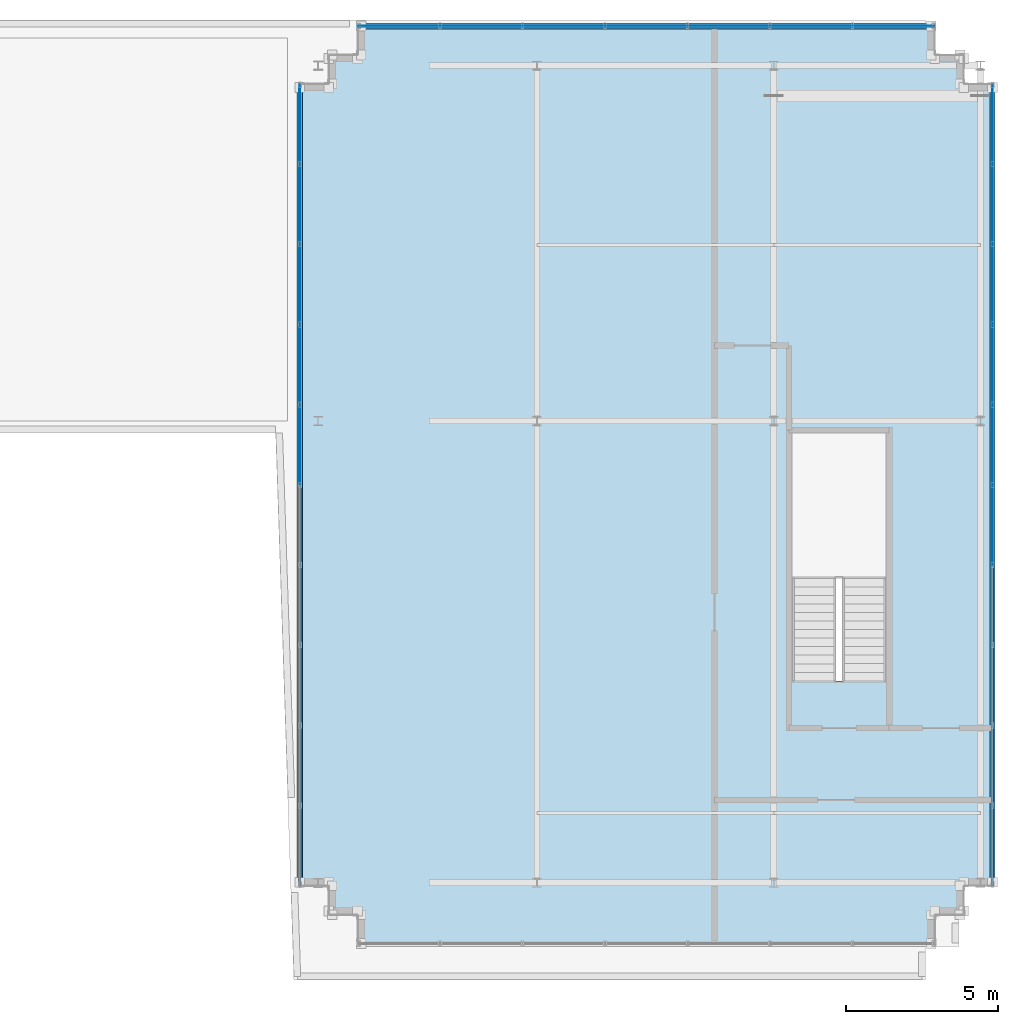
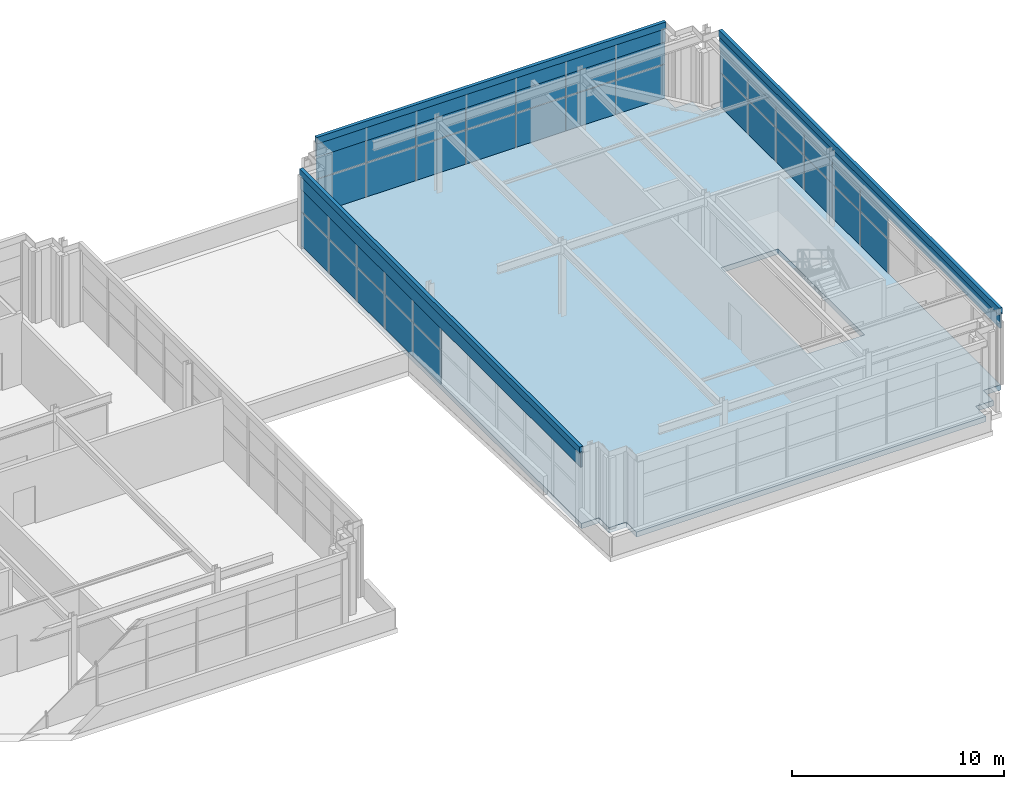
# One storey, part 25 of 31: 42 plates, 1 slab, 3 elements without a shape of their own.
"""IFC4 building model written with IfcOpenShell, lengths in metres."""

from ifc_helpers import new_model, si_unit, direction, frame, origin, origin_2d, place, context, subcontext, project, spatial, polyline, rectangle, outline, extrude, source, transform, mapped, material, layer, layer_set, type_object, element, aggregate, save


model = new_model("IFC4")

# Units and contexts
model_context = context("Model", 3, precision=1e-05, world=origin(), true_north=direction((0.0, 1.0)))
body_context = subcontext(model_context, "Body", "Model", "MODEL_VIEW")
ifc_project = project(units=[si_unit("LENGTHUNIT", "METRE"), si_unit("AREAUNIT", "SQUARE_METRE"), si_unit("VOLUMEUNIT", "CUBIC_METRE"), si_unit("PLANEANGLEUNIT", "RADIAN"), si_unit("MASSUNIT", "GRAM", prefix="KILO")], contexts=[model_context])

# Site, building, storey
site_placement = place(None, origin())
site = spatial("IfcSite", under=ifc_project, at=site_placement, CompositionType="ELEMENT")
building_placement = place(site_placement, origin())
building = spatial("IfcBuilding", under=site, at=building_placement, Name="Trelvane Seafront Commons", CompositionType="ELEMENT")
storey_placement = place(building_placement, frame((0.0, 0.0, 307.89990234375)))
storey = spatial("IfcBuildingStorey", under=building, at=storey_placement, Name="L80", CompositionType="ELEMENT", Elevation=307.89990234375)

# Slab
ifc_material_1 = material(Name="Concrete C50/60", Category="concrete")
ifc_layer_1 = layer(ifc_material_1, 0.2900390625, Name="STR-SLB-CRN290")
ifc_layer_set_1 = layer_set([ifc_layer_1], Name="Concrete C50/60")
slab_type = type_object("IfcSlabType", Name="STR-SLB-CRN290", PredefinedType="FLOOR", material=ifc_layer_set_1)
slab_placement = place(storey_placement, frame((0.0, 0.0, -0.2998046875)))
element("IfcSlab", 1, at=slab_placement, inside=storey, type_object=slab_type, Name="L80 East Crown Peak Floor Slab", PredefinedType="FLOOR", context=body_context, shape_type="SweptSolid", body=[
    extrude(outline(polyline([(45.10009765625, 16.199951171875), (64.10009765625, 16.199951171875), (64.10009765625, 17.14990234375), (65.050048828125, 17.14990234375), (65.050048828125, 18.10009765625), (66.0, 18.10009765625), (66.0, 44.5), (65.050048828125, 44.5), (65.050048828125, 45.449951171875), (64.10009765625, 45.449951171875), (64.10009765625, 46.39990234375), (45.10009765625, 46.39990234375), (45.10009765625, 45.449951171875), (44.14990234375, 45.449951171875), (44.14990234375, 44.5), (43.199951171875, 44.5), (43.199951171875, 18.10009765625), (44.14990234375, 18.10009765625), (44.14990234375, 17.14990234375), (45.10009765625, 17.14990234375), (45.10009765625, 16.199951171875)]), holes=[polyline([(62.5, 33.0), (62.5, 24.85009765625), (59.39990234375, 24.85009765625), (59.39990234375, 33.0), (62.5, 33.0)])]), origin(), (0.0, 0.0, 1.0), 0.2998046875),
])

# Curtain wall, plates
ifc_material_2 = material(Name="Anodised pale-silver aluminium", Category="aluminium")
curtain_wall_type = type_object("IfcCurtainWallType", Name="ARCH-CW6-CROWN", PredefinedType="NOTDEFINED", material=ifc_material_2)
curtain_wall_1_placement = place(storey_placement, origin())
curtain_wall_1 = element("IfcCurtainWall", 2, at=curtain_wall_1_placement, inside=storey, type_object=curtain_wall_type, Name="CW-L80-0140", PredefinedType="NOTDEFINED")
ifc_material_3 = material(Name="Low-E coastal double glazing", Category="glass")
ifc_layer_2 = layer(ifc_material_3, 0.033935546875, Name="ARCH-CW-GLAZ-34")
ifc_layer_set_2 = layer_set([ifc_layer_2], Name="Low-E coastal double glazing")
plate_type_1 = type_object("IfcPlateType", Name="ARCH-CW-GLAZ-34", PredefinedType="CURTAIN_PANEL", material=ifc_layer_set_2)
shared_shape_1 = source(origin(), body_context, "Body", "SweptSolid", [
    extrude(rectangle(XDim=2.615966796875, YDim=0.031982421875, at=origin_2d()), origin(), (0.0, 0.0, 1.0), 1.949951171875),
])
plate_1_placement = place(storey_placement, frame((43.199951171875, 32.6201171875, 0.0), z_axis=(0.0, 0.0, 1.0), x_axis=(0.0, 1.0, 0.0)))
plate_1 = element("IfcPlate", 3, at=plate_1_placement, type_object=plate_type_1, Name="CW-L80-0140-P05-1", PredefinedType="CURTAIN_PANEL", context=body_context, shape_type="MappedRepresentation", body=[
    mapped(shared_shape_1, transform((0.0, 0.0, 0.0), x_axis=(1.0, 0.0, 0.0), y_axis=(0.0, 1.0, 0.0), z_axis=(0.0, 0.0, 1.0), scale=1.0)),
])
plate_2_placement = place(storey_placement, frame((43.199951171875, 35.260009765625, 0.0), z_axis=(0.0, 0.0, 1.0), x_axis=(0.0, 1.0, 0.0)))
plate_2 = element("IfcPlate", 4, at=plate_2_placement, type_object=plate_type_1, Name="CW-L80-0140-P06-1", PredefinedType="CURTAIN_PANEL", context=body_context, shape_type="MappedRepresentation", body=[
    mapped(shared_shape_1, transform((0.0, 0.0, 0.0), x_axis=(1.0, 0.0, 0.0), y_axis=(0.0, 1.0, 0.0), z_axis=(0.0, 0.0, 1.0), scale=1.0)),
])
plate_3_placement = place(storey_placement, frame((43.199951171875, 37.89990234375, 0.0), z_axis=(0.0, 0.0, 1.0), x_axis=(0.0, 1.0, 0.0)))
plate_3 = element("IfcPlate", 5, at=plate_3_placement, type_object=plate_type_1, Name="CW-L80-0140-P07-1", PredefinedType="CURTAIN_PANEL", context=body_context, shape_type="MappedRepresentation", body=[
    mapped(shared_shape_1, transform((0.0, 0.0, 0.0), x_axis=(1.0, 0.0, 0.0), y_axis=(0.0, 1.0, 0.0), z_axis=(0.0, 0.0, 1.0), scale=1.0)),
])
plate_4_placement = place(storey_placement, frame((43.199951171875, 40.5400390625, 0.0), z_axis=(0.0, 0.0, 1.0), x_axis=(0.0, 1.0, 0.0)))
plate_4 = element("IfcPlate", 6, at=plate_4_placement, type_object=plate_type_1, Name="CW-L80-0140-P08-1", PredefinedType="CURTAIN_PANEL", context=body_context, shape_type="MappedRepresentation", body=[
    mapped(shared_shape_1, transform((0.0, 0.0, 0.0), x_axis=(1.0, 0.0, 0.0), y_axis=(0.0, 1.0, 0.0), z_axis=(0.0, 0.0, 1.0), scale=1.0)),
])
plate_5_placement = place(storey_placement, frame((43.199951171875, 43.179931640625, 0.0), z_axis=(0.0, 0.0, 1.0), x_axis=(0.0, 1.0, 0.0)))
plate_5 = element("IfcPlate", 7, at=plate_5_placement, type_object=plate_type_1, Name="CW-L80-0140-P09-1", PredefinedType="CURTAIN_PANEL", context=body_context, shape_type="MappedRepresentation", body=[
    mapped(shared_shape_1, transform((0.0, 0.0, 0.0), x_axis=(1.0, 0.0, 0.0), y_axis=(0.0, 1.0, 0.0), z_axis=(0.0, 0.0, 1.0), scale=1.0)),
])

curtain_wall_2_placement = place(storey_placement, origin())
curtain_wall_2 = element("IfcCurtainWall", 8, at=curtain_wall_2_placement, inside=storey, type_object=curtain_wall_type, Name="CW-L80-0142", PredefinedType="NOTDEFINED")
plate_6_placement = place(storey_placement, frame((66.0, 43.179931640625, 0.0), z_axis=(0.0, 0.0, 1.0), x_axis=(0.0, -1.0, 0.0)))
plate_6 = element("IfcPlate", 9, at=plate_6_placement, type_object=plate_type_1, Name="CW-L80-0142-P00-1", PredefinedType="CURTAIN_PANEL", context=body_context, shape_type="MappedRepresentation", body=[
    mapped(shared_shape_1, transform((0.0, 0.0, 0.0), x_axis=(1.0, 0.0, 0.0), y_axis=(0.0, 1.0, 0.0), z_axis=(0.0, 0.0, 1.0), scale=1.0)),
])
plate_7_placement = place(storey_placement, frame((66.0, 40.5400390625, 0.0), z_axis=(0.0, 0.0, 1.0), x_axis=(0.0, -1.0, 0.0)))
plate_7 = element("IfcPlate", 10, at=plate_7_placement, type_object=plate_type_1, Name="CW-L80-0142-P01-1", PredefinedType="CURTAIN_PANEL", context=body_context, shape_type="MappedRepresentation", body=[
    mapped(shared_shape_1, transform((0.0, 0.0, 0.0), x_axis=(1.0, 0.0, 0.0), y_axis=(0.0, 1.0, 0.0), z_axis=(0.0, 0.0, 1.0), scale=1.0)),
])
plate_8_placement = place(storey_placement, frame((66.0, 37.89990234375, 0.0), z_axis=(0.0, 0.0, 1.0), x_axis=(0.0, -1.0, 0.0)))
plate_8 = element("IfcPlate", 11, at=plate_8_placement, type_object=plate_type_1, Name="CW-L80-0142-P02-1", PredefinedType="CURTAIN_PANEL", context=body_context, shape_type="MappedRepresentation", body=[
    mapped(shared_shape_1, transform((0.0, 0.0, 0.0), x_axis=(1.0, 0.0, 0.0), y_axis=(0.0, 1.0, 0.0), z_axis=(0.0, 0.0, 1.0), scale=1.0)),
])
plate_9_placement = place(storey_placement, frame((66.0, 35.260009765625, 0.0), z_axis=(0.0, 0.0, 1.0), x_axis=(0.0, -1.0, 0.0)))
plate_9 = element("IfcPlate", 12, at=plate_9_placement, type_object=plate_type_1, Name="CW-L80-0142-P03-1", PredefinedType="CURTAIN_PANEL", context=body_context, shape_type="MappedRepresentation", body=[
    mapped(shared_shape_1, transform((0.0, 0.0, 0.0), x_axis=(1.0, 0.0, 0.0), y_axis=(0.0, 1.0, 0.0), z_axis=(0.0, 0.0, 1.0), scale=1.0)),
])
plate_10_placement = place(storey_placement, frame((66.0, 32.6201171875, 0.0), z_axis=(0.0, 0.0, 1.0), x_axis=(0.0, -1.0, 0.0)))
plate_10 = element("IfcPlate", 13, at=plate_10_placement, type_object=plate_type_1, Name="CW-L80-0142-P04-1", PredefinedType="CURTAIN_PANEL", context=body_context, shape_type="MappedRepresentation", body=[
    mapped(shared_shape_1, transform((0.0, 0.0, 0.0), x_axis=(1.0, 0.0, 0.0), y_axis=(0.0, 1.0, 0.0), z_axis=(0.0, 0.0, 1.0), scale=1.0)),
])
plate_11_placement = place(storey_placement, frame((66.0, 29.97998046875, 0.0), z_axis=(0.0, 0.0, 1.0), x_axis=(0.0, -1.0, 0.0)))
plate_11 = element("IfcPlate", 14, at=plate_11_placement, type_object=plate_type_1, Name="CW-L80-0142-P05-1", PredefinedType="CURTAIN_PANEL", context=body_context, shape_type="MappedRepresentation", body=[
    mapped(shared_shape_1, transform((0.0, 0.0, 0.0), x_axis=(1.0, 0.0, 0.0), y_axis=(0.0, 1.0, 0.0), z_axis=(0.0, 0.0, 1.0), scale=1.0)),
])

# Plate
shared_shape_2 = source(origin(), body_context, "Body", "SweptSolid", [
    extrude(rectangle(XDim=2.615966796875, YDim=0.031982421875, at=origin_2d()), origin(), (0.0, 0.0, 1.0), 2.114013671875),
])
plate_12_placement = place(storey_placement, frame((43.199951171875, 32.6201171875, 1.986328125), z_axis=(0.0, 0.0, 1.0), x_axis=(0.0, 1.0, 0.0)))
plate_12 = element("IfcPlate", 15, at=plate_12_placement, type_object=plate_type_1, Name="CW-L80-0140-P05-2", PredefinedType="CURTAIN_PANEL", context=body_context, shape_type="MappedRepresentation", body=[
    mapped(shared_shape_2, transform((0.0, 0.0, 0.0), x_axis=(1.0, 0.0, 0.0), y_axis=(0.0, 1.0, 0.0), z_axis=(0.0, 0.0, 1.0), scale=1.0)),
])

plate_13_placement = place(storey_placement, frame((43.199951171875, 35.260009765625, 1.986328125), z_axis=(0.0, 0.0, 1.0), x_axis=(0.0, 1.0, 0.0)))
plate_13 = element("IfcPlate", 16, at=plate_13_placement, type_object=plate_type_1, Name="CW-L80-0140-P06-2", PredefinedType="CURTAIN_PANEL", context=body_context, shape_type="MappedRepresentation", body=[
    mapped(shared_shape_2, transform((0.0, 0.0, 0.0), x_axis=(1.0, 0.0, 0.0), y_axis=(0.0, 1.0, 0.0), z_axis=(0.0, 0.0, 1.0), scale=1.0)),
])

plate_14_placement = place(storey_placement, frame((43.199951171875, 37.89990234375, 1.986328125), z_axis=(0.0, 0.0, 1.0), x_axis=(0.0, 1.0, 0.0)))
plate_14 = element("IfcPlate", 17, at=plate_14_placement, type_object=plate_type_1, Name="CW-L80-0140-P07-2", PredefinedType="CURTAIN_PANEL", context=body_context, shape_type="MappedRepresentation", body=[
    mapped(shared_shape_2, transform((0.0, 0.0, 0.0), x_axis=(1.0, 0.0, 0.0), y_axis=(0.0, 1.0, 0.0), z_axis=(0.0, 0.0, 1.0), scale=1.0)),
])

plate_15_placement = place(storey_placement, frame((43.199951171875, 40.5400390625, 1.986328125), z_axis=(0.0, 0.0, 1.0), x_axis=(0.0, 1.0, 0.0)))
plate_15 = element("IfcPlate", 18, at=plate_15_placement, type_object=plate_type_1, Name="CW-L80-0140-P08-2", PredefinedType="CURTAIN_PANEL", context=body_context, shape_type="MappedRepresentation", body=[
    mapped(shared_shape_2, transform((0.0, 0.0, 0.0), x_axis=(1.0, 0.0, 0.0), y_axis=(0.0, 1.0, 0.0), z_axis=(0.0, 0.0, 1.0), scale=1.0)),
])

plate_16_placement = place(storey_placement, frame((43.199951171875, 43.179931640625, 1.986328125), z_axis=(0.0, 0.0, 1.0), x_axis=(0.0, 1.0, 0.0)))
plate_16 = element("IfcPlate", 19, at=plate_16_placement, type_object=plate_type_1, Name="CW-L80-0140-P09-2", PredefinedType="CURTAIN_PANEL", context=body_context, shape_type="MappedRepresentation", body=[
    mapped(shared_shape_2, transform((0.0, 0.0, 0.0), x_axis=(1.0, 0.0, 0.0), y_axis=(0.0, 1.0, 0.0), z_axis=(0.0, 0.0, 1.0), scale=1.0)),
])

aggregate(curtain_wall_1, [plate_1, plate_12, plate_2, plate_13, plate_3, plate_14, plate_4, plate_15, plate_5, plate_16])

plate_17_placement = place(storey_placement, frame((66.0, 43.179931640625, 1.986328125), z_axis=(0.0, 0.0, 1.0), x_axis=(0.0, -1.0, 0.0)))
plate_17 = element("IfcPlate", 20, at=plate_17_placement, type_object=plate_type_1, Name="CW-L80-0142-P00-2", PredefinedType="CURTAIN_PANEL", context=body_context, shape_type="MappedRepresentation", body=[
    mapped(shared_shape_2, transform((0.0, 0.0, 0.0), x_axis=(1.0, 0.0, 0.0), y_axis=(0.0, 1.0, 0.0), z_axis=(0.0, 0.0, 1.0), scale=1.0)),
])

plate_18_placement = place(storey_placement, frame((66.0, 40.5400390625, 1.986328125), z_axis=(0.0, 0.0, 1.0), x_axis=(0.0, -1.0, 0.0)))
plate_18 = element("IfcPlate", 21, at=plate_18_placement, type_object=plate_type_1, Name="CW-L80-0142-P01-2", PredefinedType="CURTAIN_PANEL", context=body_context, shape_type="MappedRepresentation", body=[
    mapped(shared_shape_2, transform((0.0, 0.0, 0.0), x_axis=(1.0, 0.0, 0.0), y_axis=(0.0, 1.0, 0.0), z_axis=(0.0, 0.0, 1.0), scale=1.0)),
])

plate_19_placement = place(storey_placement, frame((66.0, 37.89990234375, 1.986328125), z_axis=(0.0, 0.0, 1.0), x_axis=(0.0, -1.0, 0.0)))
plate_19 = element("IfcPlate", 22, at=plate_19_placement, type_object=plate_type_1, Name="CW-L80-0142-P02-2", PredefinedType="CURTAIN_PANEL", context=body_context, shape_type="MappedRepresentation", body=[
    mapped(shared_shape_2, transform((0.0, 0.0, 0.0), x_axis=(1.0, 0.0, 0.0), y_axis=(0.0, 1.0, 0.0), z_axis=(0.0, 0.0, 1.0), scale=1.0)),
])

plate_20_placement = place(storey_placement, frame((66.0, 35.260009765625, 1.986328125), z_axis=(0.0, 0.0, 1.0), x_axis=(0.0, -1.0, 0.0)))
plate_20 = element("IfcPlate", 23, at=plate_20_placement, type_object=plate_type_1, Name="CW-L80-0142-P03-2", PredefinedType="CURTAIN_PANEL", context=body_context, shape_type="MappedRepresentation", body=[
    mapped(shared_shape_2, transform((0.0, 0.0, 0.0), x_axis=(1.0, 0.0, 0.0), y_axis=(0.0, 1.0, 0.0), z_axis=(0.0, 0.0, 1.0), scale=1.0)),
])

plate_21_placement = place(storey_placement, frame((66.0, 32.6201171875, 1.986328125), z_axis=(0.0, 0.0, 1.0), x_axis=(0.0, -1.0, 0.0)))
plate_21 = element("IfcPlate", 24, at=plate_21_placement, type_object=plate_type_1, Name="CW-L80-0142-P04-2", PredefinedType="CURTAIN_PANEL", context=body_context, shape_type="MappedRepresentation", body=[
    mapped(shared_shape_2, transform((0.0, 0.0, 0.0), x_axis=(1.0, 0.0, 0.0), y_axis=(0.0, 1.0, 0.0), z_axis=(0.0, 0.0, 1.0), scale=1.0)),
])

plate_22_placement = place(storey_placement, frame((66.0, 29.97998046875, 1.986328125), z_axis=(0.0, 0.0, 1.0), x_axis=(0.0, -1.0, 0.0)))
plate_22 = element("IfcPlate", 25, at=plate_22_placement, type_object=plate_type_1, Name="CW-L80-0142-P05-2", PredefinedType="CURTAIN_PANEL", context=body_context, shape_type="MappedRepresentation", body=[
    mapped(shared_shape_2, transform((0.0, 0.0, 0.0), x_axis=(1.0, 0.0, 0.0), y_axis=(0.0, 1.0, 0.0), z_axis=(0.0, 0.0, 1.0), scale=1.0)),
])

aggregate(curtain_wall_2, [plate_6, plate_17, plate_7, plate_18, plate_8, plate_19, plate_9, plate_20, plate_10, plate_21, plate_11, plate_22])

# Plates
ifc_layer_3 = layer(ifc_material_2, 0.080078125, Name="ARCH-PLATE-LOUVRE")
ifc_layer_set_3 = layer_set([ifc_layer_3], Name="Anodised pale-silver aluminium")
plate_type_2 = type_object("IfcPlateType", Name="ARCH-PLATE-LOUVRE", PredefinedType="USERDEFINED", material=ifc_layer_set_3)
shared_shape_3 = source(origin(), body_context, "Body", "SweptSolid", [
    extrude(rectangle(XDim=26.39990234375, YDim=0.080078125, at=origin_2d()), origin(), (0.0, 0.0, 1.0), 0.889892578125),
])
for number, where, z_axis, x_axis, name in (
    (26, (43.199951171875, 31.300048828125, 3.25), (0.0, 0.0, 1.0), (0.0, 1.0, 0.0), "LOU-L80-029"),
    (27, (66.0, 31.300048828125, 3.25), (0.0, 0.0, 1.0), (0.0, -1.0, 0.0), "LOU-L80-031"),
):
    element("IfcPlate", number, at=place(storey_placement, frame(where, z_axis=z_axis, x_axis=x_axis)), inside=storey, type_object=plate_type_2, Name=name, ObjectType="LOUVRE", PredefinedType="USERDEFINED", context=body_context, shape_type="MappedRepresentation", body=[
        mapped(shared_shape_3, transform((0.0, 0.0, 0.0), x_axis=(1.0, 0.0, 0.0), y_axis=(0.0, 1.0, 0.0), z_axis=(0.0, 0.0, 1.0), scale=1.0)),
    ])
ifc_layer_4 = layer(ifc_material_2, 0.179931640625, Name="ARCH-PLATE-AERO")
ifc_layer_set_4 = layer_set([ifc_layer_4], Name="Anodised pale-silver aluminium")
plate_type_3 = type_object("IfcPlateType", Name="ARCH-PLATE-AERO", PredefinedType="SHEET", material=ifc_layer_set_4)
shared_shape_4 = source(origin(), body_context, "Body", "SweptSolid", [
    extrude(rectangle(XDim=26.39990234375, YDim=0.179931640625, at=origin_2d()), origin(), (0.0, 0.0, 1.0), 0.3798828125),
])
for number, where, z_axis, x_axis, name in (
    (28, (43.199951171875, 31.300048828125, 4.0400390625), (0.0, 0.0, 1.0), (0.0, 1.0, 0.0), "AER-L80-00286"),
    (29, (66.0, 31.300048828125, 4.0400390625), (0.0, 0.0, 1.0), (0.0, -1.0, 0.0), "AER-L80-00288"),
):
    element("IfcPlate", number, at=place(storey_placement, frame(where, z_axis=z_axis, x_axis=x_axis)), inside=storey, type_object=plate_type_3, Name=name, PredefinedType="SHEET", context=body_context, shape_type="MappedRepresentation", body=[
        mapped(shared_shape_4, transform((0.0, 0.0, 0.0), x_axis=(1.0, 0.0, 0.0), y_axis=(0.0, 1.0, 0.0), z_axis=(0.0, 0.0, 1.0), scale=1.0)),
    ])

# Curtain wall, plates
curtain_wall_3_placement = place(storey_placement, origin())
curtain_wall_3 = element("IfcCurtainWall", 30, at=curtain_wall_3_placement, inside=storey, type_object=curtain_wall_type, Name="CW-L80-0141", PredefinedType="NOTDEFINED")
shared_shape_5 = source(origin(), body_context, "Body", "SweptSolid", [
    extrude(rectangle(XDim=2.690185546875, YDim=0.031982421875, at=origin_2d()), origin(), (0.0, 0.0, 1.0), 1.949951171875),
])
plate_23_placement = place(storey_placement, frame((46.45703125, 46.39990234375, 0.0), z_axis=(0.0, 0.0, 1.0), x_axis=(1.0, 0.0, 0.0)))
plate_23 = element("IfcPlate", 31, at=plate_23_placement, type_object=plate_type_1, Name="CW-L80-0141-P00-1", PredefinedType="CURTAIN_PANEL", context=body_context, shape_type="MappedRepresentation", body=[
    mapped(shared_shape_5, transform((0.0, 0.0, 0.0), x_axis=(1.0, 0.0, 0.0), y_axis=(0.0, 1.0, 0.0), z_axis=(0.0, 0.0, 1.0), scale=1.0)),
])
plate_24_placement = place(storey_placement, frame((49.17138671875, 46.39990234375, 0.0), z_axis=(0.0, 0.0, 1.0), x_axis=(1.0, 0.0, 0.0)))
plate_24 = element("IfcPlate", 32, at=plate_24_placement, type_object=plate_type_1, Name="CW-L80-0141-P01-1", PredefinedType="CURTAIN_PANEL", context=body_context, shape_type="MappedRepresentation", body=[
    mapped(shared_shape_5, transform((0.0, 0.0, 0.0), x_axis=(1.0, 0.0, 0.0), y_axis=(0.0, 1.0, 0.0), z_axis=(0.0, 0.0, 1.0), scale=1.0)),
])
plate_25_placement = place(storey_placement, frame((51.8857421875, 46.39990234375, 0.0), z_axis=(0.0, 0.0, 1.0), x_axis=(1.0, 0.0, 0.0)))
plate_25 = element("IfcPlate", 33, at=plate_25_placement, type_object=plate_type_1, Name="CW-L80-0141-P02-1", PredefinedType="CURTAIN_PANEL", context=body_context, shape_type="MappedRepresentation", body=[
    mapped(shared_shape_5, transform((0.0, 0.0, 0.0), x_axis=(1.0, 0.0, 0.0), y_axis=(0.0, 1.0, 0.0), z_axis=(0.0, 0.0, 1.0), scale=1.0)),
])
plate_26_placement = place(storey_placement, frame((54.60009765625, 46.39990234375, 0.0), z_axis=(0.0, 0.0, 1.0), x_axis=(1.0, 0.0, 0.0)))
plate_26 = element("IfcPlate", 34, at=plate_26_placement, type_object=plate_type_1, Name="CW-L80-0141-P03-1", PredefinedType="CURTAIN_PANEL", context=body_context, shape_type="MappedRepresentation", body=[
    mapped(shared_shape_5, transform((0.0, 0.0, 0.0), x_axis=(1.0, 0.0, 0.0), y_axis=(0.0, 1.0, 0.0), z_axis=(0.0, 0.0, 1.0), scale=1.0)),
])
plate_27_placement = place(storey_placement, frame((57.314208984375, 46.39990234375, 0.0), z_axis=(0.0, 0.0, 1.0), x_axis=(1.0, 0.0, 0.0)))
plate_27 = element("IfcPlate", 35, at=plate_27_placement, type_object=plate_type_1, Name="CW-L80-0141-P04-1", PredefinedType="CURTAIN_PANEL", context=body_context, shape_type="MappedRepresentation", body=[
    mapped(shared_shape_5, transform((0.0, 0.0, 0.0), x_axis=(1.0, 0.0, 0.0), y_axis=(0.0, 1.0, 0.0), z_axis=(0.0, 0.0, 1.0), scale=1.0)),
])
plate_28_placement = place(storey_placement, frame((60.028564453125, 46.39990234375, 0.0), z_axis=(0.0, 0.0, 1.0), x_axis=(1.0, 0.0, 0.0)))
plate_28 = element("IfcPlate", 36, at=plate_28_placement, type_object=plate_type_1, Name="CW-L80-0141-P05-1", PredefinedType="CURTAIN_PANEL", context=body_context, shape_type="MappedRepresentation", body=[
    mapped(shared_shape_5, transform((0.0, 0.0, 0.0), x_axis=(1.0, 0.0, 0.0), y_axis=(0.0, 1.0, 0.0), z_axis=(0.0, 0.0, 1.0), scale=1.0)),
])
plate_29_placement = place(storey_placement, frame((62.742919921875, 46.39990234375, 0.0), z_axis=(0.0, 0.0, 1.0), x_axis=(1.0, 0.0, 0.0)))
plate_29 = element("IfcPlate", 37, at=plate_29_placement, type_object=plate_type_1, Name="CW-L80-0141-P06-1", PredefinedType="CURTAIN_PANEL", context=body_context, shape_type="MappedRepresentation", body=[
    mapped(shared_shape_5, transform((0.0, 0.0, 0.0), x_axis=(1.0, 0.0, 0.0), y_axis=(0.0, 1.0, 0.0), z_axis=(0.0, 0.0, 1.0), scale=1.0)),
])
shared_shape_6 = source(origin(), body_context, "Body", "SweptSolid", [
    extrude(rectangle(XDim=2.690185546875, YDim=0.031982421875, at=origin_2d()), origin(), (0.0, 0.0, 1.0), 2.114013671875),
])
plate_30_placement = place(storey_placement, frame((46.45703125, 46.39990234375, 1.986328125), z_axis=(0.0, 0.0, 1.0), x_axis=(1.0, 0.0, 0.0)))
plate_30 = element("IfcPlate", 38, at=plate_30_placement, type_object=plate_type_1, Name="CW-L80-0141-P00-2", PredefinedType="CURTAIN_PANEL", context=body_context, shape_type="MappedRepresentation", body=[
    mapped(shared_shape_6, transform((0.0, 0.0, 0.0), x_axis=(1.0, 0.0, 0.0), y_axis=(0.0, 1.0, 0.0), z_axis=(0.0, 0.0, 1.0), scale=1.0)),
])
plate_31_placement = place(storey_placement, frame((49.17138671875, 46.39990234375, 1.986328125), z_axis=(0.0, 0.0, 1.0), x_axis=(1.0, 0.0, 0.0)))
plate_31 = element("IfcPlate", 39, at=plate_31_placement, type_object=plate_type_1, Name="CW-L80-0141-P01-2", PredefinedType="CURTAIN_PANEL", context=body_context, shape_type="MappedRepresentation", body=[
    mapped(shared_shape_6, transform((0.0, 0.0, 0.0), x_axis=(1.0, 0.0, 0.0), y_axis=(0.0, 1.0, 0.0), z_axis=(0.0, 0.0, 1.0), scale=1.0)),
])
plate_32_placement = place(storey_placement, frame((51.8857421875, 46.39990234375, 1.986328125), z_axis=(0.0, 0.0, 1.0), x_axis=(1.0, 0.0, 0.0)))
plate_32 = element("IfcPlate", 40, at=plate_32_placement, type_object=plate_type_1, Name="CW-L80-0141-P02-2", PredefinedType="CURTAIN_PANEL", context=body_context, shape_type="MappedRepresentation", body=[
    mapped(shared_shape_6, transform((0.0, 0.0, 0.0), x_axis=(1.0, 0.0, 0.0), y_axis=(0.0, 1.0, 0.0), z_axis=(0.0, 0.0, 1.0), scale=1.0)),
])
plate_33_placement = place(storey_placement, frame((54.60009765625, 46.39990234375, 1.986328125), z_axis=(0.0, 0.0, 1.0), x_axis=(1.0, 0.0, 0.0)))
plate_33 = element("IfcPlate", 41, at=plate_33_placement, type_object=plate_type_1, Name="CW-L80-0141-P03-2", PredefinedType="CURTAIN_PANEL", context=body_context, shape_type="MappedRepresentation", body=[
    mapped(shared_shape_6, transform((0.0, 0.0, 0.0), x_axis=(1.0, 0.0, 0.0), y_axis=(0.0, 1.0, 0.0), z_axis=(0.0, 0.0, 1.0), scale=1.0)),
])
plate_34_placement = place(storey_placement, frame((57.314208984375, 46.39990234375, 1.986328125), z_axis=(0.0, 0.0, 1.0), x_axis=(1.0, 0.0, 0.0)))
plate_34 = element("IfcPlate", 42, at=plate_34_placement, type_object=plate_type_1, Name="CW-L80-0141-P04-2", PredefinedType="CURTAIN_PANEL", context=body_context, shape_type="MappedRepresentation", body=[
    mapped(shared_shape_6, transform((0.0, 0.0, 0.0), x_axis=(1.0, 0.0, 0.0), y_axis=(0.0, 1.0, 0.0), z_axis=(0.0, 0.0, 1.0), scale=1.0)),
])
plate_35_placement = place(storey_placement, frame((60.028564453125, 46.39990234375, 1.986328125), z_axis=(0.0, 0.0, 1.0), x_axis=(1.0, 0.0, 0.0)))
plate_35 = element("IfcPlate", 43, at=plate_35_placement, type_object=plate_type_1, Name="CW-L80-0141-P05-2", PredefinedType="CURTAIN_PANEL", context=body_context, shape_type="MappedRepresentation", body=[
    mapped(shared_shape_6, transform((0.0, 0.0, 0.0), x_axis=(1.0, 0.0, 0.0), y_axis=(0.0, 1.0, 0.0), z_axis=(0.0, 0.0, 1.0), scale=1.0)),
])
plate_36_placement = place(storey_placement, frame((62.742919921875, 46.39990234375, 1.986328125), z_axis=(0.0, 0.0, 1.0), x_axis=(1.0, 0.0, 0.0)))
plate_36 = element("IfcPlate", 44, at=plate_36_placement, type_object=plate_type_1, Name="CW-L80-0141-P06-2", PredefinedType="CURTAIN_PANEL", context=body_context, shape_type="MappedRepresentation", body=[
    mapped(shared_shape_6, transform((0.0, 0.0, 0.0), x_axis=(1.0, 0.0, 0.0), y_axis=(0.0, 1.0, 0.0), z_axis=(0.0, 0.0, 1.0), scale=1.0)),
])
aggregate(curtain_wall_3, [plate_23, plate_30, plate_24, plate_31, plate_25, plate_32, plate_26, plate_33, plate_27, plate_34, plate_28, plate_35, plate_29, plate_36])

# Plates
shared_shape_7 = source(origin(), body_context, "Body", "SweptSolid", [
    extrude(rectangle(XDim=19.0, YDim=0.080078125, at=origin_2d()), origin(), (0.0, 0.0, 1.0), 0.889892578125),
])
plate_37_placement = place(storey_placement, frame((54.60009765625, 46.39990234375, 3.25), z_axis=(0.0, 0.0, 1.0), x_axis=(1.0, 0.0, 0.0)))
element("IfcPlate", 45, at=plate_37_placement, inside=storey, type_object=plate_type_2, Name="LOU-L80-030", ObjectType="LOUVRE", PredefinedType="USERDEFINED", context=body_context, shape_type="MappedRepresentation", body=[
    mapped(shared_shape_7, transform((0.0, 0.0, 0.0), x_axis=(1.0, 0.0, 0.0), y_axis=(0.0, 1.0, 0.0), z_axis=(0.0, 0.0, 1.0), scale=1.0)),
])
shared_shape_8 = source(origin(), body_context, "Body", "SweptSolid", [
    extrude(rectangle(XDim=19.0, YDim=0.179931640625, at=origin_2d()), origin(), (0.0, 0.0, 1.0), 0.3798828125),
])
plate_38_placement = place(storey_placement, frame((54.60009765625, 46.39990234375, 4.0400390625), z_axis=(0.0, 0.0, 1.0), x_axis=(1.0, 0.0, 0.0)))
element("IfcPlate", 46, at=plate_38_placement, inside=storey, type_object=plate_type_3, Name="AER-L80-00287", PredefinedType="SHEET", context=body_context, shape_type="MappedRepresentation", body=[
    mapped(shared_shape_8, transform((0.0, 0.0, 0.0), x_axis=(1.0, 0.0, 0.0), y_axis=(0.0, 1.0, 0.0), z_axis=(0.0, 0.0, 1.0), scale=1.0)),
])

save(model, "model.ifc")
